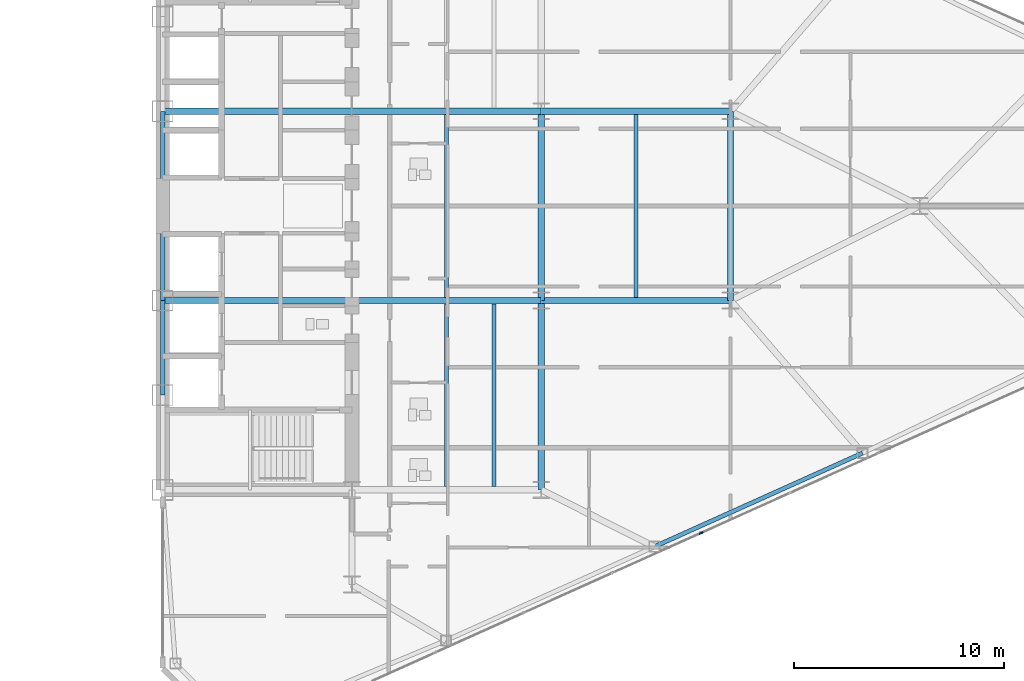
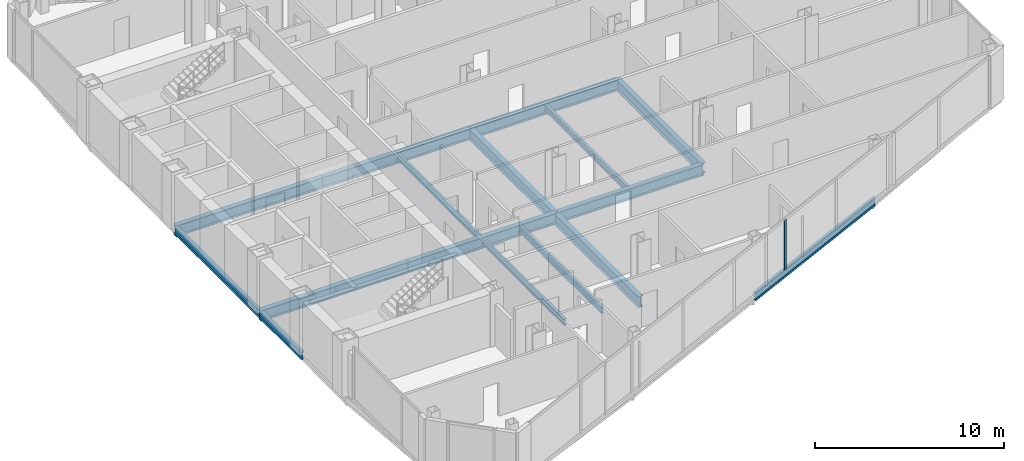
# One storey, part 12 of 27: 16 beams, 1 member, 1 element without a shape of its own.
"""IFC4 building model written with IfcOpenShell, lengths in metres."""

from ifc_helpers import new_model, si_unit, direction, frame, origin, origin_2d, place, context, subcontext, project, spatial, rectangle, i_section, extrude, source, transform, mapped, material, layer, layer_set, material_profile, profile_set, type_object, type_shapes, element, aggregate, save


model = new_model("IFC4")

# Units and contexts
model_context = context("Model", 3, precision=1e-05, world=origin(), true_north=direction((0.0, 1.0)))
body_context = subcontext(model_context, "Body", "Model", "MODEL_VIEW")
ifc_project = project(units=[si_unit("LENGTHUNIT", "METRE"), si_unit("AREAUNIT", "SQUARE_METRE"), si_unit("VOLUMEUNIT", "CUBIC_METRE"), si_unit("PLANEANGLEUNIT", "RADIAN"), si_unit("MASSUNIT", "GRAM", prefix="KILO")], contexts=[model_context])

# Site, building, storey
site_placement = place(None, origin())
site = spatial("IfcSite", under=ifc_project, at=site_placement, CompositionType="ELEMENT")
building_placement = place(site_placement, origin())
building = spatial("IfcBuilding", under=site, at=building_placement, Name="Seokmaru Belvedere", CompositionType="ELEMENT")
storey_placement = place(building_placement, frame((0.0, 0.0, 80.10009765625)))
storey = spatial("IfcBuildingStorey", under=building, at=storey_placement, Name="L21", CompositionType="ELEMENT", Elevation=80.10009765625)

# Beams
ifc_material_1 = material(Name="Steel SM355 (355 MPa)", Category="steel")
ifc_material_profile_1 = material_profile(ifc_material_1, i_section(OverallWidth=0.199951171875, OverallDepth=0.5, WebThickness=0.010009765625, FlangeThickness=0.01611328125, at=origin_2d()), Name="H-500x200x10x16")
ifc_profile_set_1 = profile_set([ifc_material_profile_1], Name="Steel SM355 (355 MPa)")
beam_type_1 = type_object("IfcBeamType", Name="Perimeter Spandrel Beam H-500", PredefinedType="SPANDREL", material=ifc_profile_set_1)
shared_shape_1 = source(origin(), body_context, "Body", "SweptSolid", [
    extrude(i_section(OverallWidth=0.199951171875, OverallDepth=0.5, WebThickness=0.010009765625, FlangeThickness=0.01611328125, at=origin_2d()), origin(), (0.0, 0.0, 1.0), 4.5),
])
beam_1_placement = place(storey_placement, frame((27.5, -9.0, -0.47021484375), z_axis=(0.0, 1.0, 0.0), x_axis=(-1.0, 0.0, 0.0)))
element("IfcBeam", 1, at=beam_1_placement, inside=storey, type_object=beam_type_1, Name="L21 E Portal Spine Spandrel 2", PredefinedType="SPANDREL", context=body_context, shape_type="MappedRepresentation", body=[
    mapped(shared_shape_1, transform((0.0, 0.0, 0.0), scale=1.0)),
])
shared_shape_2 = source(origin(), body_context, "Body", "SweptSolid", [
    extrude(i_section(OverallWidth=0.199951171875, OverallDepth=0.5, WebThickness=0.010009765625, FlangeThickness=0.01611328125, at=origin_2d()), origin(), (0.0, 0.0, 1.0), 9.0),
])
beam_2_placement = place(storey_placement, frame((27.5, -4.5, -0.47021484375), z_axis=(0.0, 1.0, 0.0), x_axis=(-1.0, 0.0, 0.0)))
element("IfcBeam", 2, at=beam_2_placement, inside=storey, type_object=beam_type_1, Name="L21 E Portal Spine Spandrel 3", PredefinedType="SPANDREL", context=body_context, shape_type="MappedRepresentation", body=[
    mapped(shared_shape_2, transform((0.0, 0.0, 0.0), scale=1.0)),
])
ifc_material_profile_2 = material_profile(ifc_material_1, i_section(OverallWidth=0.300048828125, OverallDepth=0.699951171875, WebThickness=0.012939453125, FlangeThickness=0.02392578125, at=origin_2d()), Name="H-700x300x13x24")
ifc_profile_set_2 = profile_set([ifc_material_profile_2], Name="Steel SM355 (355 MPa)")
beam_type_2 = type_object("IfcBeamType", Name="Primary Floor Girder H-700", PredefinedType="BEAM", material=ifc_profile_set_2)
shared_shape_3 = source(origin(), body_context, "Body", "SweptSolid", [
    extrude(i_section(OverallWidth=0.300048828125, OverallDepth=0.699951171875, WebThickness=0.012939453125, FlangeThickness=0.02392578125, at=origin_2d()), origin(), (0.0, 0.0, 1.0), 9.0),
])
type_shapes(beam_type_2, [shared_shape_3])
for number, where, z_axis, x_axis, name in (
    (3, (45.5, -13.5, -0.570068359375), (0.0, 1.0, 0.0), (-1.0, 0.0, 0.0), "L21 E Interior Grid Girder 1"),
    (4, (45.5, -4.5, -0.570068359375), (0.0, 1.0, 0.0), (-1.0, 0.0, 0.0), "L21 E Interior Grid Girder 2"),
    (5, (27.5, -4.5, -0.570068359375), (1.0, 0.0, 0.0), (0.0, 1.0, 0.0), "L21 E Core Tie Girder 2"),
    (6, (36.5, -4.5, -0.570068359375), (1.0, 0.0, 0.0), (0.0, 1.0, 0.0), "L21 E Wing Primary Girder 2"),
    (7, (27.5, 4.5, -0.570068359375), (1.0, 0.0, 0.0), (0.0, 1.0, 0.0), "L21 E Core Tie Girder 3"),
    (8, (36.5, 4.5, -0.570068359375), (1.0, 0.0, 0.0), (0.0, 1.0, 0.0), "L21 E Wing Primary Girder 3"),
    (9, (45.5, -4.5, -0.570068359375), (1.0, 0.0, 0.0), (0.0, 1.0, 0.0), "L21 E Outer Wing Girder 1"),
    (10, (45.5, 4.5, -0.570068359375), (1.0, 0.0, 0.0), (0.0, 1.0, 0.0), "L21 E Outer Wing Girder 2"),
    (11, (54.5, -4.5, -0.570068359375), (0.0, 1.0, 0.0), (-1.0, 0.0, 0.0), "L21 E Apex Frame Girder"),
):
    element("IfcBeam", number, at=place(storey_placement, frame(where, z_axis=z_axis, x_axis=x_axis)), inside=storey, type_object=beam_type_2, Name=name, PredefinedType="BEAM", context=body_context, shape_type="MappedRepresentation", body=[
        mapped(shared_shape_3, transform((0.0, 0.0, 0.0), scale=1.0)),
    ])
ifc_material_profile_3 = material_profile(ifc_material_1, i_section(OverallWidth=0.18505859375, OverallDepth=0.389892578125, WebThickness=0.008056640625, FlangeThickness=0.011962890625, at=origin_2d()), Name="H-390x185x8x12")
ifc_profile_set_3 = profile_set([ifc_material_profile_3], Name="Steel SM355 (355 MPa)")
beam_type_3 = type_object("IfcBeamType", Name="Secondary Floor Joist H-350", PredefinedType="JOIST", material=ifc_profile_set_3)
shared_shape_4 = source(origin(), body_context, "Body", "SweptSolid", [
    extrude(i_section(OverallWidth=0.18505859375, OverallDepth=0.389892578125, WebThickness=0.008056640625, FlangeThickness=0.011962890625, at=origin_2d()), origin(), (0.0, 0.0, 1.0), 8.68994140625),
])
type_shapes(beam_type_3, [shared_shape_4])
for number, where, z_axis, x_axis, name in (
    (12, (43.25, -13.344970703125, -0.4150390625), (0.0, 1.0, 0.0), (-1.0, 0.0, 0.0), "L21 E Wing Inner Secondary Joist 1"),
    (13, (41.0, -13.344970703125, -0.4150390625), (0.0, 1.0, 0.0), (-1.0, 0.0, 0.0), "L21 E Secondary Floor Joist 1"),
    (14, (41.0, -4.344970703125, -0.4150390625), (0.0, 1.0, 0.0), (-1.0, 0.0, 0.0), "L21 E Secondary Floor Joist 2"),
    (15, (50.0, -4.344970703125, -0.4150390625), (0.0, 1.0, 0.0), (-1.0, 0.0, 0.0), "L21 E Outer Bay Secondary Joist"),
):
    element("IfcBeam", number, at=place(storey_placement, frame(where, z_axis=z_axis, x_axis=x_axis)), inside=storey, type_object=beam_type_3, Name=name, PredefinedType="JOIST", context=body_context, shape_type="MappedRepresentation", body=[
        mapped(shared_shape_4, transform((0.0, 0.0, 0.0), scale=1.0)),
    ])
shared_shape_5 = source(origin(), body_context, "Body", "SweptSolid", [
    extrude(i_section(OverallWidth=0.199951171875, OverallDepth=0.5, WebThickness=0.010009765625, FlangeThickness=0.01611328125, at=origin_2d()), origin(), (0.0, 0.0, 1.0), 10.85888671875),
])
type_shapes(beam_type_1, [shared_shape_1, shared_shape_2, shared_shape_5])
beam_3_placement = place(storey_placement, frame((50.875, -16.205322265625, -0.47021484375), z_axis=(0.911925291223, 0.410356263785, 0.0), x_axis=(-0.410356263785, 0.911925291223, 0.0)))
element("IfcBeam", 16, at=beam_3_placement, inside=storey, type_object=beam_type_1, Name="L21 E Faceted Flank Spandrel S-3", PredefinedType="SPANDREL", context=body_context, shape_type="MappedRepresentation", body=[
    mapped(shared_shape_5, transform((0.0, 0.0, 0.0), scale=1.0)),
])

# Curtain wall, member
ifc_material_2 = material(Name="Bronze Triple Insulating Glass", Category="glass")
ifc_layer = layer(ifc_material_2, 0.195068359375)
ifc_layer_set = layer_set([ifc_layer], Name="Bronze Triple Insulating Glass")
curtain_wall_type = type_object("IfcCurtainWallType", Name="Lower-Mid Tapered Curtain Wall System CW-3", PredefinedType="NOTDEFINED", material=ifc_layer_set)
curtain_wall_placement = place(storey_placement, origin())
curtain_wall = element("IfcCurtainWall", 17, at=curtain_wall_placement, inside=storey, type_object=curtain_wall_type, Name="L21 Curtain Wall EF1", PredefinedType="NOTDEFINED")
ifc_material_3 = material(Name="Anodised Bronze Aluminium", Category="aluminium")
ifc_material_profile_4 = material_profile(ifc_material_3, rectangle(XDim=0.070068359375, YDim=0.195068359375, at=origin_2d()), Name="CW-M-70x195")
ifc_profile_set_4 = profile_set([ifc_material_profile_4], Name="Anodised Bronze Aluminium")
member_type = type_object("IfcMemberType", Name="Bronze Unitised Mullion 70x195", PredefinedType="MULLION", material=ifc_profile_set_4)
shared_shape_6 = source(origin(), body_context, "Body", "SweptSolid", [
    extrude(rectangle(XDim=0.070068359375, YDim=0.195068359375, at=origin_2d()), origin(), (0.0, 0.0, 1.0), 3.239990234375),
])
type_shapes(member_type, [shared_shape_6])
member_placement = place(storey_placement, frame((53.105712890625, -15.552490234375, 0.06982421875), z_axis=(0.0, 0.0, 1.0), x_axis=(-0.41036554765, 0.91192111353, 0.0)))
member = element("IfcMember", 18, at=member_placement, type_object=member_type, Name="CW:L21:EF1 Mullion 6", PredefinedType="MULLION", context=body_context, shape_type="MappedRepresentation", body=[
    mapped(shared_shape_6, transform((0.0, 0.0, 0.0), scale=1.0)),
])
aggregate(curtain_wall, [member])

save(model, "model.ifc")
